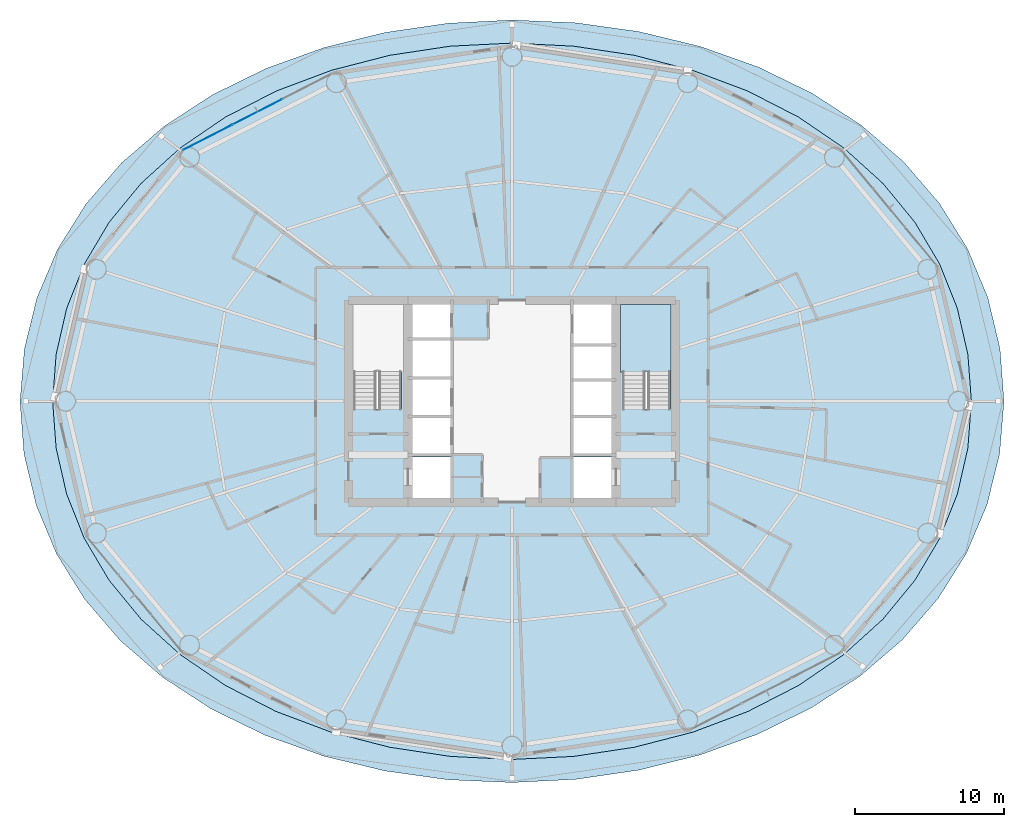
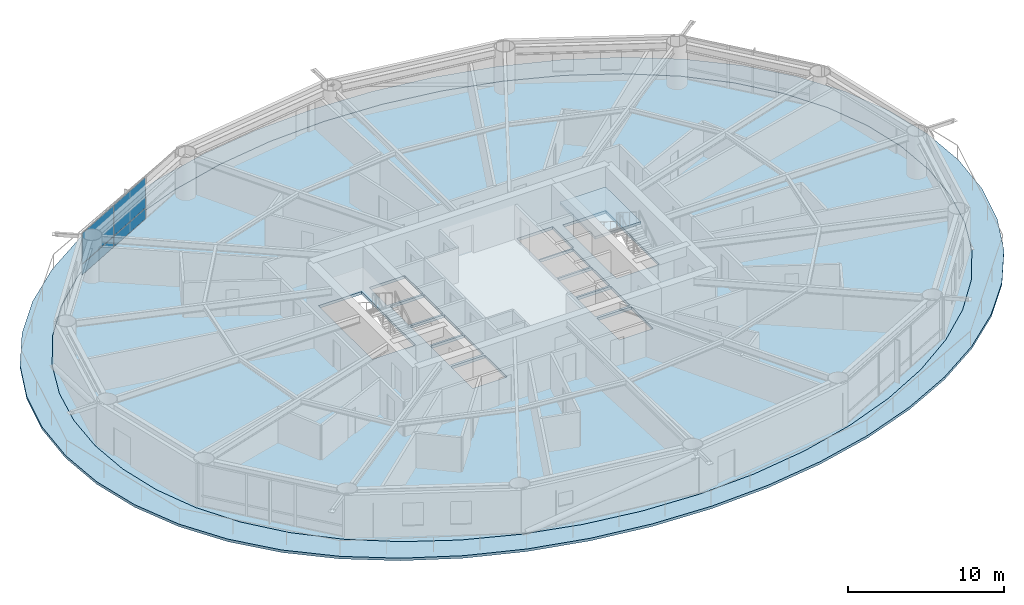
# One storey, part 17 of 26: 4 plates, 3 slabs, 2 elements without a shape of their own.
"""IFC4 building model written with IfcOpenShell, lengths in metres."""

from ifc_helpers import new_model, si_unit, direction, frame, origin, origin_2d, place, context, subcontext, project, spatial, polyline, rectangle, outline, extrude, material, layer, layer_set, type_object, element, aggregate, save


model = new_model("IFC4")

# Units and contexts
model_context = context("Model", 3, precision=1e-05, world=origin(), true_north=direction((0.0, 1.0)))
body_context = subcontext(model_context, "Body", "Model", "MODEL_VIEW")
ifc_project = project(units=[si_unit("LENGTHUNIT", "METRE"), si_unit("AREAUNIT", "SQUARE_METRE"), si_unit("VOLUMEUNIT", "CUBIC_METRE"), si_unit("PLANEANGLEUNIT", "RADIAN"), si_unit("MASSUNIT", "GRAM", prefix="KILO")], contexts=[model_context])

# Site, building, storey
site_placement = place(None, origin())
site = spatial("IfcSite", under=ifc_project, at=site_placement, CompositionType="ELEMENT")
building_placement = place(site_placement, origin())
building = spatial("IfcBuilding", under=site, at=building_placement, Name="Sarneth Arch Tower", CompositionType="ELEMENT")
storey_placement = place(building_placement, frame((0.0, 0.0, 46.199951171875)))
storey = spatial("IfcBuildingStorey", under=building, at=storey_placement, Name="L10", CompositionType="ELEMENT", Elevation=46.199951171875)

# Curtain wall, plates
ifc_material_1 = material(Name="Anodised aluminium Type AA25 and solar-control low-e laminated IGU", Category="aluminium")
ifc_layer_1 = layer(ifc_material_1, 0.159912109375)
ifc_layer_set_1 = layer_set([ifc_layer_1], Name="Anodised aluminium Type AA25 and solar-control low-e laminated IGU")
curtain_wall_type = type_object("IfcCurtainWallType", Name="CW-HOTEL-LOW", PredefinedType="NOTDEFINED", material=ifc_layer_set_1)
curtain_wall_placement = place(storey_placement, origin())
curtain_wall = element("IfcCurtainWall", 1, at=curtain_wall_placement, inside=storey, type_object=curtain_wall_type, Name="L10 Unitised curtain wall facet 06", PredefinedType="NOTDEFINED")
ifc_material_2 = material(Name="Solar-control low-e laminated IGU", Category="glass")
ifc_layer_2 = layer(ifc_material_2, 0.028076171875)
ifc_layer_set_2 = layer_set([ifc_layer_2], Name="Solar-control low-e laminated IGU")
plate_type = type_object("IfcPlateType", Name="CW-PANEL", PredefinedType="CURTAIN_PANEL", material=ifc_layer_set_2)
plate_1_placement = place(storey_placement, frame((30.8740234375, 61.473876953125, 0.06005859375), z_axis=(0.0, 0.0, 1.0), x_axis=(-0.889854100456, -0.456245197127, 0.0)))
plate_1 = element("IfcPlate", 2, at=plate_1_placement, type_object=plate_type, Name="Curtain wall glazed vision pane CW-L10-F06/P01-00", PredefinedType="CURTAIN_PANEL", context=body_context, shape_type="SweptSolid", body=[
    extrude(rectangle(XDim=3.721923828125, YDim=0.028076171875, at=origin_2d()), origin(), (0.0, 0.0, 1.0), 0.81005859375),
])
plate_2_placement = place(storey_placement, frame((30.8740234375, 61.473876953125, 0.93017578125), z_axis=(0.0, 0.0, 1.0), x_axis=(-0.889854100456, -0.456245197127, 0.0)))
plate_2 = element("IfcPlate", 3, at=plate_2_placement, type_object=plate_type, Name="Curtain wall glazed vision pane CW-L10-F06/P01-01", PredefinedType="CURTAIN_PANEL", context=body_context, shape_type="SweptSolid", body=[
    extrude(rectangle(XDim=3.721923828125, YDim=0.028076171875, at=origin_2d()), origin(), (0.0, 0.0, 1.0), 2.389892578125),
])
plate_3_placement = place(storey_placement, frame((27.52197265625, 59.75537109375, 0.06005859375), z_axis=(0.0, 0.0, 1.0), x_axis=(-0.889854100456, -0.456245197127, 0.0)))
plate_3 = element("IfcPlate", 4, at=plate_3_placement, type_object=plate_type, Name="Curtain wall glazed vision pane CW-L10-F06/P02-00", PredefinedType="CURTAIN_PANEL", context=body_context, shape_type="SweptSolid", body=[
    extrude(rectangle(XDim=3.69189453125, YDim=0.028076171875, at=origin_2d()), origin(), (0.0, 0.0, 1.0), 0.81005859375),
])
plate_4_placement = place(storey_placement, frame((27.52197265625, 59.75537109375, 0.93017578125), z_axis=(0.0, 0.0, 1.0), x_axis=(-0.889854100456, -0.456245197127, 0.0)))
plate_4 = element("IfcPlate", 5, at=plate_4_placement, type_object=plate_type, Name="Curtain wall glazed vision pane CW-L10-F06/P02-01", PredefinedType="CURTAIN_PANEL", context=body_context, shape_type="SweptSolid", body=[
    extrude(rectangle(XDim=3.69189453125, YDim=0.028076171875, at=origin_2d()), origin(), (0.0, 0.0, 1.0), 2.389892578125),
])
aggregate(curtain_wall, [plate_1, plate_2, plate_3, plate_4])

# Slab
ifc_material_3 = material(Name="Concrete C50/60", Category="concrete")
ifc_layer_3 = layer(ifc_material_3, 0.199951171875)
ifc_layer_set_3 = layer_set([ifc_layer_3], Name="Concrete C50/60")
slab_type_1 = type_object("IfcSlabType", Name="SLAB-BALC-200", PredefinedType="FLOOR", material=ifc_layer_set_3)
slab_1_placement = place(storey_placement, frame((0.0, 0.0, -0.199951171875)))
element("IfcSlab", 6, at=slab_1_placement, inside=storey, type_object=slab_type_1, Name="L10 Helical balcony band slab", PredefinedType="FLOOR", context=body_context, shape_type="SweptSolid", body=[
    extrude(outline(polyline([(81.104736328125, 42.0), (80.839599609375, 45.5322265625), (80.017578125, 48.98046875), (78.64990234375, 52.265869140625), (76.75390625, 55.325439453125), (74.35498046875, 58.11083984375), (71.489990234375, 60.58447265625), (68.209716796875, 62.7177734375), (64.578125, 64.487548828125), (60.66748046875, 65.876708984375), (56.552978515625, 66.872314453125), (52.3076171875, 67.466552734375), (48.0, 67.655029296875), (43.6953125, 67.4375), (39.458251953125, 66.817138671875), (35.3564453125, 65.800537109375), (31.4609375, 64.39794921875), (27.8447265625, 62.623291015625), (24.577880859375, 60.494384765625), (21.72119140625, 58.03271484375), (19.323486328125, 55.265625), (17.419677734375, 52.22705078125), (16.035400390625, 48.961181640625), (15.189208984375, 45.527099609375), (14.895263671875, 42.0), (15.160400390625, 38.4677734375), (15.982421875, 35.01953125), (17.35009765625, 31.734130859375), (19.24609375, 28.674560546875), (21.64501953125, 25.88916015625), (24.510009765625, 23.41552734375), (27.790283203125, 21.2822265625), (31.421875, 19.512451171875), (35.33251953125, 18.123291015625), (39.447021484375, 17.127685546875), (43.6923828125, 16.533447265625), (48.0, 16.344970703125), (52.3046875, 16.5625), (56.541748046875, 17.182861328125), (60.6435546875, 18.199462890625), (64.5390625, 19.60205078125), (68.1552734375, 21.376708984375), (71.422119140625, 23.505615234375), (74.27880859375, 25.96728515625), (76.676513671875, 28.734375), (78.580322265625, 31.77294921875), (79.964599609375, 35.038818359375), (80.810791015625, 38.472900390625), (81.104736328125, 42.0)]), holes=[polyline([(78.90966796875, 42.0), (78.675048828125, 45.145751953125), (77.9677734375, 48.237548828125), (76.780029296875, 51.22265625), (75.10595703125, 54.050048828125), (72.94873046875, 56.671142578125), (70.32861328125, 59.041259765625), (67.2841796875, 61.119873046875), (63.8720703125, 62.87109375), (60.162109375, 64.265380859375), (56.2294921875, 65.27880859375), (52.150634765625, 65.893798828125), (48.0, 66.10009765625), (43.849365234375, 65.893798828125), (39.7705078125, 65.27880859375), (35.837890625, 64.265380859375), (32.1279296875, 62.87109375), (28.7158203125, 61.119873046875), (25.67138671875, 59.041259765625), (23.05126953125, 56.671142578125), (20.89404296875, 54.050048828125), (19.219970703125, 51.22265625), (18.0322265625, 48.237548828125), (17.324951171875, 45.145751953125), (17.09033203125, 42.0), (17.324951171875, 38.854248046875), (18.0322265625, 35.762451171875), (19.219970703125, 32.77734375), (20.89404296875, 29.949951171875), (23.05126953125, 27.328857421875), (25.67138671875, 24.958740234375), (28.7158203125, 22.880126953125), (32.1279296875, 21.12890625), (35.837890625, 19.734619140625), (39.7705078125, 18.72119140625), (43.849365234375, 18.106201171875), (48.0, 17.89990234375), (52.150634765625, 18.106201171875), (56.2294921875, 18.72119140625), (60.162109375, 19.734619140625), (63.8720703125, 21.12890625), (67.2841796875, 22.880126953125), (70.32861328125, 24.958740234375), (72.94873046875, 27.328857421875), (75.10595703125, 29.949951171875), (76.780029296875, 32.77734375), (77.9677734375, 35.762451171875), (78.675048828125, 38.854248046875), (78.90966796875, 42.0)])]), origin(), (0.0, 0.0, 1.0), 0.199951171875),
])

# Stair, slab
ifc_material_4 = material(Name="Concrete C50/60", Category="concrete")
stair_type = type_object("IfcStairType", Name="STAIR-CORE-RC", PredefinedType="HALF_TURN_STAIR", material=ifc_material_4)
stair_placement = place(storey_placement, origin())
stair = element("IfcStair", 7, at=stair_placement, inside=storey, type_object=stair_type, Name="L10 Core Exit Stair 2", PredefinedType="HALF_TURN_STAIR")
ifc_material_5 = material(Name="Concrete C50/60", Category="concrete")
ifc_layer_4 = layer(ifc_material_5, 0.199951171875)
ifc_layer_set_4 = layer_set([ifc_layer_4], Name="Concrete C50/60")
slab_type_2 = type_object("IfcSlabType", Name="SLAB-LANDING-200", PredefinedType="LANDING", material=ifc_layer_set_4)
slab_2_placement = place(storey_placement, frame((0.0, 0.0, 1.60009765625)))
slab_2 = element("IfcSlab", 8, at=slab_2_placement, type_object=slab_type_2, Name="ST-2 landing 1", PredefinedType="LANDING", context=body_context, shape_type="SweptSolid", body=[
    extrude(outline(polyline([(55.300048828125, 43.985107421875), (58.699951171875, 43.985107421875), (58.699951171875, 48.5), (55.300048828125, 48.5), (55.300048828125, 43.985107421875)])), origin(), (0.0, 0.0, 1.0), 0.199951171875),
])
aggregate(stair, [slab_2])

# Slab
ifc_material_6 = material(Name="Concrete C50/60", Category="concrete")
ifc_layer_5 = layer(ifc_material_6, 0.219970703125)
ifc_layer_set_5 = layer_set([ifc_layer_5], Name="Concrete C50/60")
slab_type_3 = type_object("IfcSlabType", Name="SLAB-TOWER-220", PredefinedType="FLOOR", material=ifc_layer_set_5)
slab_3_placement = place(storey_placement, frame((0.0, 0.0, -0.219970703125)))
element("IfcSlab", 9, at=slab_3_placement, inside=storey, type_object=slab_type_3, Name="L10 Elliptical floor slab", PredefinedType="FLOOR", context=body_context, shape_type="SweptSolid", body=[
    extrude(outline(polyline([(78.90966796875, 42.0), (78.675048828125, 45.145751953125), (77.9677734375, 48.237548828125), (76.780029296875, 51.22265625), (75.10595703125, 54.050048828125), (72.94873046875, 56.671142578125), (70.32861328125, 59.041259765625), (67.2841796875, 61.119873046875), (63.8720703125, 62.87109375), (60.162109375, 64.265380859375), (56.2294921875, 65.27880859375), (52.150634765625, 65.893798828125), (48.0, 66.10009765625), (43.849365234375, 65.893798828125), (39.7705078125, 65.27880859375), (35.837890625, 64.265380859375), (32.1279296875, 62.87109375), (28.7158203125, 61.119873046875), (25.67138671875, 59.041259765625), (23.05126953125, 56.671142578125), (20.89404296875, 54.050048828125), (19.219970703125, 51.22265625), (18.0322265625, 48.237548828125), (17.324951171875, 45.145751953125), (17.09033203125, 42.0), (17.324951171875, 38.854248046875), (18.0322265625, 35.762451171875), (19.219970703125, 32.77734375), (20.89404296875, 29.949951171875), (23.05126953125, 27.328857421875), (25.67138671875, 24.958740234375), (28.7158203125, 22.880126953125), (32.1279296875, 21.12890625), (35.837890625, 19.734619140625), (39.7705078125, 18.72119140625), (43.849365234375, 18.106201171875), (48.0, 17.89990234375), (52.150634765625, 18.106201171875), (56.2294921875, 18.72119140625), (60.162109375, 19.734619140625), (63.8720703125, 21.12890625), (67.2841796875, 22.880126953125), (70.32861328125, 24.958740234375), (72.94873046875, 27.328857421875), (75.10595703125, 29.949951171875), (76.780029296875, 32.77734375), (77.9677734375, 35.762451171875), (78.675048828125, 38.854248046875), (78.90966796875, 42.0)]), holes=[polyline([(37.35009765625, 41.489990234375), (40.550048828125, 41.489990234375), (40.550048828125, 48.39990234375), (37.35009765625, 48.39990234375), (37.35009765625, 41.489990234375)]), polyline([(55.449951171875, 41.489990234375), (58.64990234375, 41.489990234375), (58.64990234375, 48.39990234375), (55.449951171875, 48.39990234375), (55.449951171875, 41.489990234375)]), polyline([(41.199951171875, 46.25), (43.85009765625, 46.25), (43.85009765625, 48.550048828125), (41.199951171875, 48.550048828125), (41.199951171875, 46.25)]), polyline([(41.300048828125, 35.449951171875), (43.85009765625, 35.449951171875), (43.85009765625, 38.25), (41.300048828125, 38.25), (41.300048828125, 35.449951171875)]), polyline([(52.14990234375, 35.449951171875), (54.699951171875, 35.449951171875), (54.699951171875, 38.25), (52.14990234375, 38.25), (52.14990234375, 35.449951171875)]), polyline([(52.14990234375, 45.85009765625), (54.800048828125, 45.85009765625), (54.800048828125, 48.550048828125), (52.14990234375, 48.550048828125), (52.14990234375, 45.85009765625)]), polyline([(41.300048828125, 38.449951171875), (43.85009765625, 38.449951171875), (43.85009765625, 40.89990234375), (41.300048828125, 40.89990234375), (41.300048828125, 38.449951171875)]), polyline([(41.300048828125, 41.050048828125), (43.85009765625, 41.050048828125), (43.85009765625, 43.5), (41.300048828125, 43.5), (41.300048828125, 41.050048828125)]), polyline([(41.300048828125, 43.64990234375), (43.85009765625, 43.64990234375), (43.85009765625, 46.10009765625), (41.300048828125, 46.10009765625), (41.300048828125, 43.64990234375)]), polyline([(52.14990234375, 38.449951171875), (54.699951171875, 38.449951171875), (54.699951171875, 40.89990234375), (52.14990234375, 40.89990234375), (52.14990234375, 38.449951171875)]), polyline([(52.14990234375, 41.050048828125), (54.699951171875, 41.050048828125), (54.699951171875, 43.35009765625), (52.14990234375, 43.35009765625), (52.14990234375, 41.050048828125)]), polyline([(52.14990234375, 43.5), (54.699951171875, 43.5), (54.699951171875, 45.75), (52.14990234375, 45.75), (52.14990234375, 43.5)])]), origin(), (0.0, 0.0, 1.0), 0.219970703125),
])

save(model, "model.ifc")
